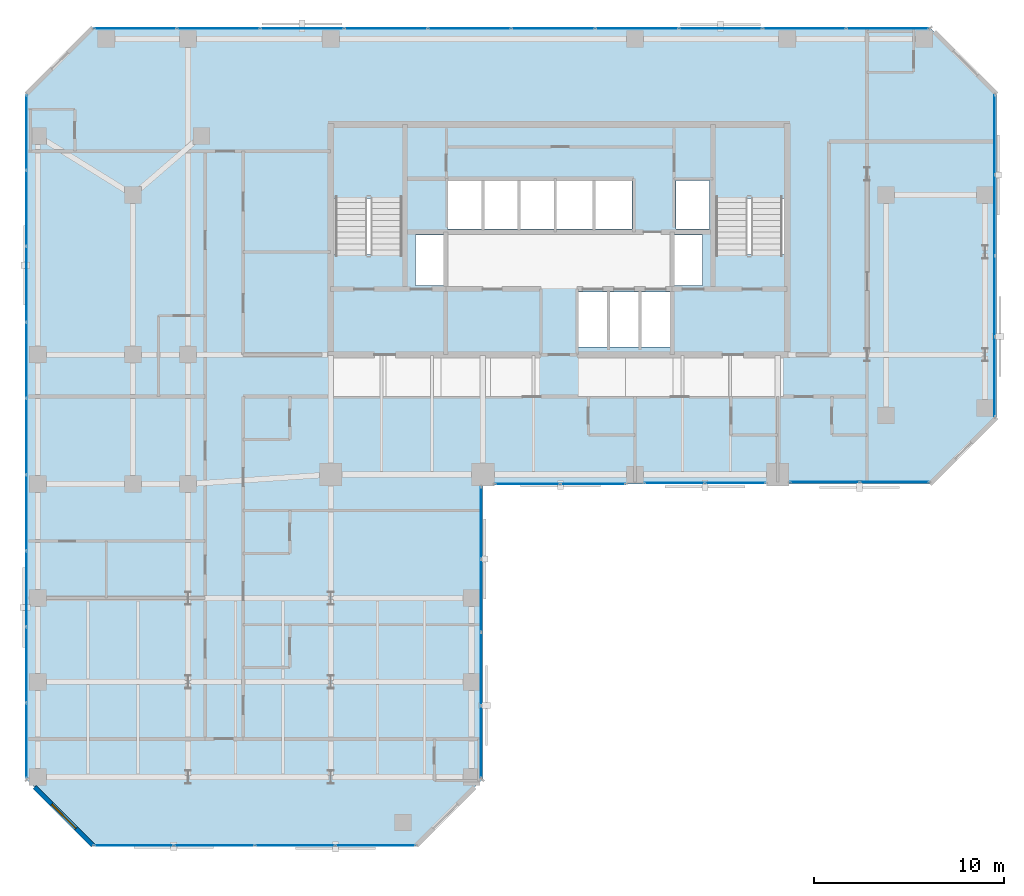
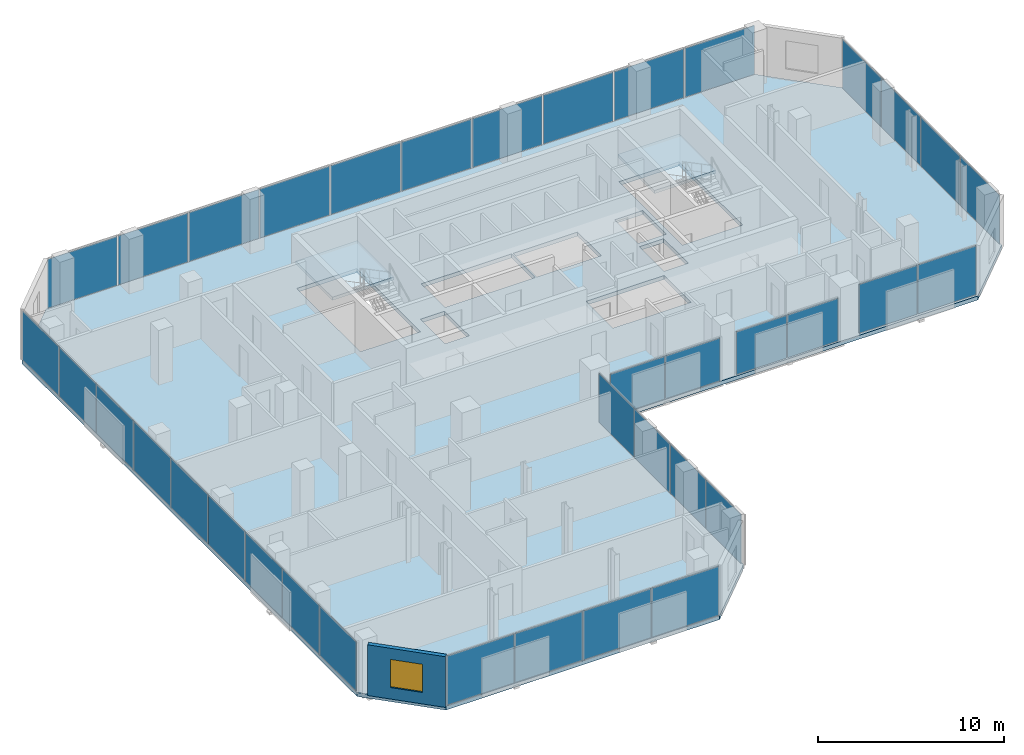
# One storey, part 27 of 34: 37 plates, 3 slabs, 1 wall, 1 window, 1 opening, 10 elements without a shape of their own.
"""IFC4 building model written with IfcOpenShell, lengths in metres."""

import ifcopenshell
import ifcopenshell.guid

model = None  # the IFC model being written
_history = None  # IfcOwnerHistory: only IFC2X3 demands one
_inside = {}  # id of a spatial element -> (the spatial element, [elements in it])
_under = {}  # id of a project, library or spatial element -> (it, [spatial elements below it])
_declared = {}  # id of a project -> (the project, [libraries it declares])
_typed = {}  # id of a type object -> (the type object, [elements of that type])
_made_of = {}  # id of a material, layer set ... -> (it, [elements and type objects made of it])


def new_model(schema):
    """Start an empty IFC model of exactly this schema.

    Asked for "IFC4X3", IfcOpenShell would pick the latest addendum, in which some entities
    have other attributes; the version numbers below select the first issue.
    IFC2X3 requires an IfcOwnerHistory on every rooted entity: one is made here for all.
    """
    global model, _history
    if schema == "IFC4X3":
        model = ifcopenshell.file(schema_version=(4, 3, 0, 0))
    else:
        model = ifcopenshell.file(schema=schema)
    _inside.clear()
    _under.clear()
    _declared.clear()
    _typed.clear()
    _made_of.clear()
    _history = None
    if model.schema == "IFC2X3":
        org = make("IfcOrganization", Name="unknown")
        user = make(
            "IfcPersonAndOrganization",
            ThePerson=make("IfcPerson", FamilyName="unknown"),
            TheOrganization=org,
        )
        app = make(
            "IfcApplication",
            ApplicationDeveloper=org,
            Version="unknown",
            ApplicationFullName="unknown",
            ApplicationIdentifier="unknown",
        )
        _history = make(
            "IfcOwnerHistory",
            OwningUser=user,
            OwningApplication=app,
            ChangeAction="ADDED",
            CreationDate=0,
        )
    return model


def make(cls, **values):
    """One entity of the class cls with the attributes given. An attribute that is None is left unset."""
    return model.create_entity(
        cls, **{name: value for name, value in values.items() if value is not None}
    )


def rooted(cls, **values):
    """An entity with a GlobalId (a new one), such as an element, a storey or a relation."""
    return make(cls, GlobalId=ifcopenshell.guid.new(), OwnerHistory=_history, **values)


def si_unit(unit_type, name, prefix=None):
    """IfcSIUnit, for example si_unit("LENGTHUNIT", "METRE", prefix="MILLI")."""
    return make("IfcSIUnit", UnitType=unit_type, Prefix=prefix, Name=name)


def assignment(units):
    """IfcUnitAssignment: the units of a project."""
    return None if units is None else make("IfcUnitAssignment", Units=units)


def point(xyz):
    """IfcCartesianPoint."""
    return None if xyz is None else make("IfcCartesianPoint", Coordinates=xyz)


def direction(xyz):
    """IfcDirection."""
    return None if xyz is None else make("IfcDirection", DirectionRatios=xyz)


def frame(location, z_axis=None, x_axis=None):
    """IfcAxis2Placement3D, a coordinate frame: its origin and axes. An axis left out is left unset."""
    return make(
        "IfcAxis2Placement3D",
        Location=point(location),
        Axis=direction(z_axis),
        RefDirection=direction(x_axis),
    )


def frame_2d(location, x_axis=None):
    """IfcAxis2Placement2D, a coordinate frame in the plane: its origin and x axis."""
    return make(
        "IfcAxis2Placement2D", Location=point(location), RefDirection=direction(x_axis)
    )


def origin():
    """The frame at (0, 0, 0) with its axes left unset."""
    return frame((0.0, 0.0, 0.0))


def origin_2d():
    """The frame at (0, 0) in the plane with its x axis left unset."""
    return frame_2d((0.0, 0.0))


def place(relative_to, where):
    """IfcLocalPlacement: puts the frame where relative to a parent placement (None: the world)."""
    return make(
        "IfcLocalPlacement", PlacementRelTo=relative_to, RelativePlacement=where
    )


def context(
    kind, dimensions, precision=None, world=None, true_north=None, identifier=None
):
    """IfcGeometricRepresentationContext, for example the 3D "Model" context."""
    return make(
        "IfcGeometricRepresentationContext",
        ContextIdentifier=identifier,
        ContextType=kind,
        CoordinateSpaceDimension=dimensions,
        Precision=precision,
        WorldCoordinateSystem=world,
        TrueNorth=true_north,
    )


def subcontext(parent, identifier, kind, view, scale=None):
    """IfcGeometricRepresentationSubContext, for example "Body" below "Model"."""
    return make(
        "IfcGeometricRepresentationSubContext",
        ContextIdentifier=identifier,
        ContextType=kind,
        ParentContext=parent,
        TargetScale=scale,
        TargetView=view,
    )


def project(units=None, contexts=None):
    """IfcProject with its units and contexts."""
    return rooted(
        "IfcProject",
        Name="project",
        RepresentationContexts=contexts,
        UnitsInContext=assignment(units),
    )


def spatial(cls, under=None, at=None, **own):
    """A site, building, storey or space (cls), placed at a placement, below another one or the project."""
    s = rooted(cls, ObjectPlacement=at, **own)
    if under is not None:
        _under.setdefault(under.id(), (under, []))[1].append(s)
    return s


def polyline(points):
    """IfcPolyline through the points."""
    return make("IfcPolyline", Points=[point(p) for p in points])


def profile(cls, at=None, kind="AREA", **sizes):
    """A parametric profile (cls). Its sizes go by their IFC names, for example OverallWidth=200.0."""
    return make(cls, ProfileType=kind, Position=at, **sizes)


def rectangle(**sizes):
    """IfcRectangleProfileDef."""
    return profile("IfcRectangleProfileDef", **sizes)


def outline(outer, holes=None, kind="AREA"):
    """IfcArbitraryClosedProfileDef: a profile drawn as a closed curve; with holes, ...WithVoids."""
    if holes is None:
        return make("IfcArbitraryClosedProfileDef", ProfileType=kind, OuterCurve=outer)
    return make(
        "IfcArbitraryProfileDefWithVoids",
        ProfileType=kind,
        OuterCurve=outer,
        InnerCurves=holes,
    )


def extrude(swept, where, along, depth):
    """IfcExtrudedAreaSolid: the profile swept, set in the frame where, extruded along a direction by depth."""
    return make(
        "IfcExtrudedAreaSolid",
        SweptArea=swept,
        Position=where,
        ExtrudedDirection=direction(along),
        Depth=depth,
    )


def shape(context_of_items, identifier, shape_type, items):
    """IfcShapeRepresentation: the items that make up one representation, for example the "Body"."""
    return make(
        "IfcShapeRepresentation",
        ContextOfItems=context_of_items,
        RepresentationIdentifier=identifier,
        RepresentationType=shape_type,
        Items=items,
    )


def material(Name=None, Category=None):
    """IfcMaterial."""
    return make("IfcMaterial", Name=Name, Category=Category)


def layer(
    of_material, thickness, ventilated=None, Name=None, Category=None, Priority=None
):
    """IfcMaterialLayer: one layer of a wall or slab, of a material (None: an air gap)."""
    return make(
        "IfcMaterialLayer",
        Material=of_material,
        LayerThickness=thickness,
        IsVentilated=ventilated,
        Name=Name,
        Category=Category,
        Priority=Priority,
    )


def layer_set(layers, Name=None):
    """IfcMaterialLayerSet."""
    return make("IfcMaterialLayerSet", MaterialLayers=layers, LayerSetName=Name)


def made_of(thing, what):
    """Note that an element or type object is made of a material, layer set ...; save() writes the relation."""
    if what is not None:
        _made_of.setdefault(what.id(), (what, []))[1].append(thing)
    return thing


def type_object(cls, material=None, **own):
    """A type object (cls), such as IfcWallType, which elements share."""
    return made_of(rooted(cls, **own), material)


def element(
    cls,
    number,
    at=None,
    inside=None,
    cuts=None,
    type_object=None,
    material=None,
    context=None,
    identifier="Body",
    shape_type=None,
    held_by="IfcProductDefinitionShape",
    body=None,
    shapes=None,
    **own,
):
    """One element of the class cls, such as IfcWall. Its Tag is "e" and its number.

    at: its placement. inside: the storey or other place that contains it. cuts: it is an
    opening in that element (IfcRelVoidsElement). A single representation is given by context,
    identifier, shape_type and body (its items); several are given by shapes. held_by: the class
    of the entity that holds the representations. save() writes the other relations.
    """
    e = rooted(cls, Tag="e%d" % number, ObjectPlacement=at, **own)
    if body is not None:
        shapes = [shape(context, identifier, shape_type, body)]
    if shapes is not None:
        e.Representation = make(held_by, Representations=shapes)
    if inside is not None:
        _inside.setdefault(inside.id(), (inside, []))[1].append(e)
    if cuts is not None:
        rooted(
            "IfcRelVoidsElement", RelatingBuildingElement=cuts, RelatedOpeningElement=e
        )
    if type_object is not None:
        _typed.setdefault(type_object.id(), (type_object, []))[1].append(e)
    return made_of(e, material)


def fill(opening, filler):
    """IfcRelFillsElement: the door or window that sits in an opening."""
    return rooted(
        "IfcRelFillsElement",
        RelatingOpeningElement=opening,
        RelatedBuildingElement=filler,
    )


def aggregate(whole, parts):
    """IfcRelAggregates: a whole, such as a stair, and the parts it consists of."""
    return rooted("IfcRelAggregates", RelatingObject=whole, RelatedObjects=parts)


def save(model, path):
    """Write the relations noted so far, then the file.

    IfcRelAggregates (storeys below a building ...), IfcRelContainedInSpatialStructure (elements
    in a storey), IfcRelDefinesByType, IfcRelAssociatesMaterial and IfcRelDeclares: one each for
    every whole, place, type object, material and project.
    """
    for whole, parts in _under.values():
        aggregate(whole, parts)
    for where, things in _inside.values():
        rooted(
            "IfcRelContainedInSpatialStructure",
            RelatedElements=things,
            RelatingStructure=where,
        )
    for kind, things in _typed.values():
        rooted("IfcRelDefinesByType", RelatedObjects=things, RelatingType=kind)
    for what, things in _made_of.values():
        rooted("IfcRelAssociatesMaterial", RelatedObjects=things, RelatingMaterial=what)
    for by, libraries in _declared.values():
        rooted("IfcRelDeclares", RelatingContext=by, RelatedDefinitions=libraries)
    model.write(path)


model = new_model("IFC4")

# Units and contexts
model_context = context("Model", 3, precision=1e-05, world=origin(), true_north=direction((0.0, 1.0)))
body_context = subcontext(model_context, "Body", "Model", "MODEL_VIEW")
ifc_project = project(units=[si_unit("LENGTHUNIT", "METRE"), si_unit("AREAUNIT", "SQUARE_METRE"), si_unit("VOLUMEUNIT", "CUBIC_METRE"), si_unit("PLANEANGLEUNIT", "RADIAN"), si_unit("MASSUNIT", "GRAM", prefix="KILO")], contexts=[model_context])

# Site, building, storey
site_placement = place(None, origin())
site = spatial("IfcSite", under=ifc_project, at=site_placement, CompositionType="ELEMENT")
building_placement = place(site_placement, origin())
building = spatial("IfcBuilding", under=site, at=building_placement, Name="Catumbela Crestline Tower", CompositionType="ELEMENT")
storey_placement = place(building_placement, frame((0.0, 0.0, 93.6)))
storey = spatial("IfcBuildingStorey", under=building, at=storey_placement, Name="L23", CompositionType="ELEMENT", Elevation=93.6)

# Curtain wall, plates
ifc_material_1 = material(Name="Aluminium alloy AW-6060-T66", Category="aluminium")
ifc_layer_1 = layer(ifc_material_1, 0.18, Name="Aluminium alloy AW-6060-T66")
ifc_layer_set_1 = layer_set([ifc_layer_1], Name="Aluminium alloy AW-6060-T66")
curtain_wall_type = type_object("IfcCurtainWallType", Name="CWU-Z2", PredefinedType="USERDEFINED", material=ifc_layer_set_1)
curtain_wall_1_placement = place(storey_placement, origin())
curtain_wall_1 = element("IfcCurtainWall", 1, at=curtain_wall_1_placement, inside=storey, type_object=curtain_wall_type, Name="L23 Unitised Curtain Wall CW-L23-E0S1", ObjectType="UNITISED", PredefinedType="USERDEFINED")
ifc_material_2 = material(Name="Low-E laminated solar-control double glazing", Category="glass")
ifc_layer_2 = layer(ifc_material_2, 0.036, Name="Low-E laminated solar-control double glazing")
ifc_layer_set_2 = layer_set([ifc_layer_2], Name="Low-E laminated solar-control double glazing")
plate_type = type_object("IfcPlateType", Name="PNL-GLZ-Z2", PredefinedType="CURTAIN_PANEL", material=ifc_layer_set_2)
plate_1_placement = place(storey_placement, frame((5.6412, 5.0, 0.06), z_axis=(0.0, 0.0, 1.0), x_axis=(1.0, 0.0, 0.0)))
plate_1 = element("IfcPlate", 2, at=plate_1_placement, type_object=plate_type, Name="CWU-Z2 panel 1.1", PredefinedType="CURTAIN_PANEL", context=body_context, shape_type="SweptSolid", body=[
    extrude(rectangle(XDim=4.1525, YDim=0.034, at=origin_2d()), origin(), (0.0, 0.0, 1.0), 3.21),
])
plate_2_placement = place(storey_placement, frame((9.875, 5.0, 0.06), z_axis=(0.0, 0.0, 1.0), x_axis=(1.0, 0.0, 0.0)))
plate_2 = element("IfcPlate", 3, at=plate_2_placement, type_object=plate_type, Name="CWU-Z2 panel 2.1", PredefinedType="CURTAIN_PANEL", context=body_context, shape_type="SweptSolid", body=[
    extrude(rectangle(XDim=4.185, YDim=0.034, at=origin_2d()), origin(), (0.0, 0.0, 1.0), 3.21),
])
plate_3_placement = place(storey_placement, frame((14.125, 5.0, 0.06), z_axis=(0.0, 0.0, 1.0), x_axis=(1.0, 0.0, 0.0)))
plate_3 = element("IfcPlate", 4, at=plate_3_placement, type_object=plate_type, Name="CWU-Z2 panel 3.1", PredefinedType="CURTAIN_PANEL", context=body_context, shape_type="SweptSolid", body=[
    extrude(rectangle(XDim=4.185, YDim=0.034, at=origin_2d()), origin(), (0.0, 0.0, 1.0), 3.21),
])
plate_4_placement = place(storey_placement, frame((18.3588, 5.0, 0.06), z_axis=(0.0, 0.0, 1.0), x_axis=(1.0, 0.0, 0.0)))
plate_4 = element("IfcPlate", 5, at=plate_4_placement, type_object=plate_type, Name="CWU-Z2 panel 4.1", PredefinedType="CURTAIN_PANEL", context=body_context, shape_type="SweptSolid", body=[
    extrude(rectangle(XDim=4.1525, YDim=0.034, at=origin_2d()), origin(), (0.0, 0.0, 1.0), 3.21),
])
aggregate(curtain_wall_1, [plate_1, plate_2, plate_3, plate_4])

curtain_wall_2_placement = place(storey_placement, origin())
curtain_wall_2 = element("IfcCurtainWall", 6, at=curtain_wall_2_placement, inside=storey, type_object=curtain_wall_type, Name="L23 Unitised Curtain Wall CW-L23-E2S1", ObjectType="UNITISED", PredefinedType="USERDEFINED")
plate_5_placement = place(storey_placement, frame((23.9, 10.4412, 0.06), z_axis=(0.0, 0.0, 1.0), x_axis=(0.0, 1.0, 0.0)))
plate_5 = element("IfcPlate", 7, at=plate_5_placement, type_object=plate_type, Name="CWU-Z2 panel 1.1", PredefinedType="CURTAIN_PANEL", context=body_context, shape_type="SweptSolid", body=[
    extrude(rectangle(XDim=3.7525, YDim=0.034, at=origin_2d()), origin(), (0.0, 0.0, 1.0), 3.21),
])
plate_6_placement = place(storey_placement, frame((23.9, 14.275, 0.06), z_axis=(0.0, 0.0, 1.0), x_axis=(0.0, 1.0, 0.0)))
plate_6 = element("IfcPlate", 8, at=plate_6_placement, type_object=plate_type, Name="CWU-Z2 panel 2.1", PredefinedType="CURTAIN_PANEL", context=body_context, shape_type="SweptSolid", body=[
    extrude(rectangle(XDim=3.785, YDim=0.034, at=origin_2d()), origin(), (0.0, 0.0, 1.0), 3.21),
])
plate_7_placement = place(storey_placement, frame((23.9, 18.125, 0.06), z_axis=(0.0, 0.0, 1.0), x_axis=(0.0, 1.0, 0.0)))
plate_7 = element("IfcPlate", 9, at=plate_7_placement, type_object=plate_type, Name="CWU-Z2 panel 3.1", PredefinedType="CURTAIN_PANEL", context=body_context, shape_type="SweptSolid", body=[
    extrude(rectangle(XDim=3.785, YDim=0.034, at=origin_2d()), origin(), (0.0, 0.0, 1.0), 3.21),
])
plate_8_placement = place(storey_placement, frame((23.9, 21.9587, 0.06), z_axis=(0.0, 0.0, 1.0), x_axis=(0.0, 1.0, 0.0)))
plate_8 = element("IfcPlate", 10, at=plate_8_placement, type_object=plate_type, Name="CWU-Z2 panel 4.1", PredefinedType="CURTAIN_PANEL", context=body_context, shape_type="SweptSolid", body=[
    extrude(rectangle(XDim=3.7525, YDim=0.034, at=origin_2d()), origin(), (0.0, 0.0, 1.0), 3.21),
])
aggregate(curtain_wall_2, [plate_5, plate_6, plate_7, plate_8])

curtain_wall_3_placement = place(storey_placement, origin())
curtain_wall_3 = element("IfcCurtainWall", 11, at=curtain_wall_3_placement, inside=storey, type_object=curtain_wall_type, Name="L23 Unitised Curtain Wall CW-L23-E3S1", ObjectType="UNITISED", PredefinedType="USERDEFINED")
plate_9_placement = place(storey_placement, frame((26.3538, 24.0, 0.06), z_axis=(0.0, 0.0, 1.0), x_axis=(1.0, 0.0, 0.0)))
plate_9 = element("IfcPlate", 12, at=plate_9_placement, type_object=plate_type, Name="CWU-Z2 panel 1.1", PredefinedType="CURTAIN_PANEL", context=body_context, shape_type="SweptSolid", body=[
    extrude(rectangle(XDim=3.3775, YDim=0.034, at=origin_2d()), origin(), (0.0, 0.0, 1.0), 2.8),
])
plate_10_placement = place(storey_placement, frame((29.7962, 24.0, 0.06), z_axis=(0.0, 0.0, 1.0), x_axis=(1.0, 0.0, 0.0)))
plate_10 = element("IfcPlate", 13, at=plate_10_placement, type_object=plate_type, Name="CWU-Z2 panel 2.1", PredefinedType="CURTAIN_PANEL", context=body_context, shape_type="SweptSolid", body=[
    extrude(rectangle(XDim=3.3775, YDim=0.034, at=origin_2d()), origin(), (0.0, 0.0, 1.0), 2.8),
])
aggregate(curtain_wall_3, [plate_9, plate_10])

curtain_wall_4_placement = place(storey_placement, origin())
curtain_wall_4 = element("IfcCurtainWall", 14, at=curtain_wall_4_placement, inside=storey, type_object=curtain_wall_type, Name="L23 Unitised Curtain Wall CW-L23-E3S2", ObjectType="UNITISED", PredefinedType="USERDEFINED")
plate_11_placement = place(storey_placement, frame((34.0788, 24.05, 0.06), z_axis=(0.0, 0.0, 1.0), x_axis=(1.0, 0.0, 0.0)))
plate_11 = element("IfcPlate", 15, at=plate_11_placement, type_object=plate_type, Name="CWU-Z2 panel 1.1", PredefinedType="CURTAIN_PANEL", context=body_context, shape_type="SweptSolid", body=[
    extrude(rectangle(XDim=3.1275, YDim=0.034, at=origin_2d()), origin(), (0.0, 0.0, 1.0), 2.8),
])
plate_12_placement = place(storey_placement, frame((37.2712, 24.05, 0.06), z_axis=(0.0, 0.0, 1.0), x_axis=(1.0, 0.0, 0.0)))
plate_12 = element("IfcPlate", 16, at=plate_12_placement, type_object=plate_type, Name="CWU-Z2 panel 2.1", PredefinedType="CURTAIN_PANEL", context=body_context, shape_type="SweptSolid", body=[
    extrude(rectangle(XDim=3.1275, YDim=0.034, at=origin_2d()), origin(), (0.0, 0.0, 1.0), 2.8),
])
aggregate(curtain_wall_4, [plate_11, plate_12])

curtain_wall_5_placement = place(storey_placement, origin())
curtain_wall_5 = element("IfcCurtainWall", 17, at=curtain_wall_5_placement, inside=storey, type_object=curtain_wall_type, Name="L23 Unitised Curtain Wall CW-L23-E3S3", ObjectType="UNITISED", PredefinedType="USERDEFINED")
plate_13_placement = place(storey_placement, frame((41.9662, 24.1, 0.06), z_axis=(0.0, 0.0, 1.0), x_axis=(1.0, 0.0, 0.0)))
plate_13 = element("IfcPlate", 18, at=plate_13_placement, type_object=plate_type, Name="CWU-Z2 panel 1.1", PredefinedType="CURTAIN_PANEL", context=body_context, shape_type="SweptSolid", body=[
    extrude(rectangle(XDim=3.6025, YDim=0.034, at=origin_2d()), origin(), (0.0, 0.0, 1.0), 3.21),
])
plate_14_placement = place(storey_placement, frame((45.6338, 24.1, 0.06), z_axis=(0.0, 0.0, 1.0), x_axis=(1.0, 0.0, 0.0)))
plate_14 = element("IfcPlate", 19, at=plate_14_placement, type_object=plate_type, Name="CWU-Z2 panel 2.1", PredefinedType="CURTAIN_PANEL", context=body_context, shape_type="SweptSolid", body=[
    extrude(rectangle(XDim=3.6025, YDim=0.034, at=origin_2d()), origin(), (0.0, 0.0, 1.0), 3.21),
])
aggregate(curtain_wall_5, [plate_13, plate_14])

curtain_wall_6_placement = place(storey_placement, origin())
curtain_wall_6 = element("IfcCurtainWall", 20, at=curtain_wall_6_placement, inside=storey, type_object=curtain_wall_type, Name="L23 Unitised Curtain Wall CW-L23-E5S1", ObjectType="UNITISED", PredefinedType="USERDEFINED")
plate_15_placement = place(storey_placement, frame((50.9, 29.6412, 0.06), z_axis=(0.0, 0.0, 1.0), x_axis=(0.0, 1.0, 0.0)))
plate_15 = element("IfcPlate", 21, at=plate_15_placement, type_object=plate_type, Name="CWU-Z2 panel 1.1", PredefinedType="CURTAIN_PANEL", context=body_context, shape_type="SweptSolid", body=[
    extrude(rectangle(XDim=4.1525, YDim=0.034, at=origin_2d()), origin(), (0.0, 0.0, 1.0), 3.21),
])
plate_16_placement = place(storey_placement, frame((50.9, 33.875, 0.06), z_axis=(0.0, 0.0, 1.0), x_axis=(0.0, 1.0, 0.0)))
plate_16 = element("IfcPlate", 22, at=plate_16_placement, type_object=plate_type, Name="CWU-Z2 panel 2.1", PredefinedType="CURTAIN_PANEL", context=body_context, shape_type="SweptSolid", body=[
    extrude(rectangle(XDim=4.185, YDim=0.034, at=origin_2d()), origin(), (0.0, 0.0, 1.0), 3.21),
])
plate_17_placement = place(storey_placement, frame((50.9, 38.125, 0.06), z_axis=(0.0, 0.0, 1.0), x_axis=(0.0, 1.0, 0.0)))
plate_17 = element("IfcPlate", 23, at=plate_17_placement, type_object=plate_type, Name="CWU-Z2 panel 3.1", PredefinedType="CURTAIN_PANEL", context=body_context, shape_type="SweptSolid", body=[
    extrude(rectangle(XDim=4.185, YDim=0.034, at=origin_2d()), origin(), (0.0, 0.0, 1.0), 3.21),
])
plate_18_placement = place(storey_placement, frame((50.9, 42.3588, 0.06), z_axis=(0.0, 0.0, 1.0), x_axis=(0.0, 1.0, 0.0)))
plate_18 = element("IfcPlate", 24, at=plate_18_placement, type_object=plate_type, Name="CWU-Z2 panel 4.1", PredefinedType="CURTAIN_PANEL", context=body_context, shape_type="SweptSolid", body=[
    extrude(rectangle(XDim=4.1525, YDim=0.034, at=origin_2d()), origin(), (0.0, 0.0, 1.0), 3.21),
])
aggregate(curtain_wall_6, [plate_15, plate_16, plate_17, plate_18])

curtain_wall_7_placement = place(storey_placement, origin())
curtain_wall_7 = element("IfcCurtainWall", 25, at=curtain_wall_7_placement, inside=storey, type_object=curtain_wall_type, Name="L23 Unitised Curtain Wall CW-L23-E7S1", ObjectType="UNITISED", PredefinedType="USERDEFINED")
plate_19_placement = place(storey_placement, frame((45.2838, 47.95, 0.06), z_axis=(0.0, 0.0, 1.0), x_axis=(-1.0, 0.0, 0.0)))
plate_19 = element("IfcPlate", 26, at=plate_19_placement, type_object=plate_type, Name="CWU-Z2 panel 1.1", PredefinedType="CURTAIN_PANEL", context=body_context, shape_type="SweptSolid", body=[
    extrude(rectangle(XDim=4.3025, YDim=0.034, at=origin_2d()), origin(), (0.0, 0.0, 1.0), 3.21),
])
plate_20_placement = place(storey_placement, frame((40.9, 47.95, 0.06), z_axis=(0.0, 0.0, 1.0), x_axis=(-1.0, 0.0, 0.0)))
plate_20 = element("IfcPlate", 27, at=plate_20_placement, type_object=plate_type, Name="CWU-Z2 panel 2.1", PredefinedType="CURTAIN_PANEL", context=body_context, shape_type="SweptSolid", body=[
    extrude(rectangle(XDim=4.335, YDim=0.034, at=origin_2d()), origin(), (0.0, 0.0, 1.0), 3.21),
])
plate_21_placement = place(storey_placement, frame((36.5, 47.95, 0.06), z_axis=(0.0, 0.0, 1.0), x_axis=(-1.0, 0.0, 0.0)))
plate_21 = element("IfcPlate", 28, at=plate_21_placement, type_object=plate_type, Name="CWU-Z2 panel 3.1", PredefinedType="CURTAIN_PANEL", context=body_context, shape_type="SweptSolid", body=[
    extrude(rectangle(XDim=4.335, YDim=0.034, at=origin_2d()), origin(), (0.0, 0.0, 1.0), 3.21),
])
plate_22_placement = place(storey_placement, frame((32.1, 47.95, 0.06), z_axis=(0.0, 0.0, 1.0), x_axis=(-1.0, 0.0, 0.0)))
plate_22 = element("IfcPlate", 29, at=plate_22_placement, type_object=plate_type, Name="CWU-Z2 panel 4.1", PredefinedType="CURTAIN_PANEL", context=body_context, shape_type="SweptSolid", body=[
    extrude(rectangle(XDim=4.335, YDim=0.034, at=origin_2d()), origin(), (0.0, 0.0, 1.0), 3.21),
])
plate_23_placement = place(storey_placement, frame((27.7, 47.95, 0.06), z_axis=(0.0, 0.0, 1.0), x_axis=(-1.0, 0.0, 0.0)))
plate_23 = element("IfcPlate", 30, at=plate_23_placement, type_object=plate_type, Name="CWU-Z2 panel 5.1", PredefinedType="CURTAIN_PANEL", context=body_context, shape_type="SweptSolid", body=[
    extrude(rectangle(XDim=4.335, YDim=0.034, at=origin_2d()), origin(), (0.0, 0.0, 1.0), 3.21),
])
plate_24_placement = place(storey_placement, frame((23.3, 47.95, 0.06), z_axis=(0.0, 0.0, 1.0), x_axis=(-1.0, 0.0, 0.0)))
plate_24 = element("IfcPlate", 31, at=plate_24_placement, type_object=plate_type, Name="CWU-Z2 panel 6.1", PredefinedType="CURTAIN_PANEL", context=body_context, shape_type="SweptSolid", body=[
    extrude(rectangle(XDim=4.335, YDim=0.034, at=origin_2d()), origin(), (0.0, 0.0, 1.0), 3.21),
])
plate_25_placement = place(storey_placement, frame((18.9, 47.95, 0.06), z_axis=(0.0, 0.0, 1.0), x_axis=(-1.0, 0.0, 0.0)))
plate_25 = element("IfcPlate", 32, at=plate_25_placement, type_object=plate_type, Name="CWU-Z2 panel 7.1", PredefinedType="CURTAIN_PANEL", context=body_context, shape_type="SweptSolid", body=[
    extrude(rectangle(XDim=4.335, YDim=0.034, at=origin_2d()), origin(), (0.0, 0.0, 1.0), 3.21),
])
plate_26_placement = place(storey_placement, frame((14.5, 47.95, 0.06), z_axis=(0.0, 0.0, 1.0), x_axis=(-1.0, 0.0, 0.0)))
plate_26 = element("IfcPlate", 33, at=plate_26_placement, type_object=plate_type, Name="CWU-Z2 panel 8.1", PredefinedType="CURTAIN_PANEL", context=body_context, shape_type="SweptSolid", body=[
    extrude(rectangle(XDim=4.335, YDim=0.034, at=origin_2d()), origin(), (0.0, 0.0, 1.0), 3.21),
])
plate_27_placement = place(storey_placement, frame((10.1, 47.95, 0.06), z_axis=(0.0, 0.0, 1.0), x_axis=(-1.0, 0.0, 0.0)))
plate_27 = element("IfcPlate", 34, at=plate_27_placement, type_object=plate_type, Name="CWU-Z2 panel 9.1", PredefinedType="CURTAIN_PANEL", context=body_context, shape_type="SweptSolid", body=[
    extrude(rectangle(XDim=4.335, YDim=0.034, at=origin_2d()), origin(), (0.0, 0.0, 1.0), 3.21),
])
plate_28_placement = place(storey_placement, frame((5.7162, 47.95, 0.06), z_axis=(0.0, 0.0, 1.0), x_axis=(-1.0, 0.0, 0.0)))
plate_28 = element("IfcPlate", 35, at=plate_28_placement, type_object=plate_type, Name="CWU-Z2 panel 10.1", PredefinedType="CURTAIN_PANEL", context=body_context, shape_type="SweptSolid", body=[
    extrude(rectangle(XDim=4.3025, YDim=0.034, at=origin_2d()), origin(), (0.0, 0.0, 1.0), 3.21),
])
aggregate(curtain_wall_7, [plate_19, plate_20, plate_21, plate_22, plate_23, plate_24, plate_25, plate_26, plate_27, plate_28])

curtain_wall_8_placement = place(storey_placement, origin())
curtain_wall_8 = element("IfcCurtainWall", 36, at=curtain_wall_8_placement, inside=storey, type_object=curtain_wall_type, Name="L23 Unitised Curtain Wall CW-L23-E9S1", ObjectType="UNITISED", PredefinedType="USERDEFINED")
plate_29_placement = place(storey_placement, frame((0.0, 42.4838, 0.06), z_axis=(0.0, 0.0, 1.0), x_axis=(0.0, -1.0, 0.0)))
plate_29 = element("IfcPlate", 37, at=plate_29_placement, type_object=plate_type, Name="CWU-Z2 panel 1.1", PredefinedType="CURTAIN_PANEL", context=body_context, shape_type="SweptSolid", body=[
    extrude(rectangle(XDim=3.9025, YDim=0.034, at=origin_2d()), origin(), (0.0, 0.0, 1.0), 3.21),
])
plate_30_placement = place(storey_placement, frame((0.0, 38.5, 0.06), z_axis=(0.0, 0.0, 1.0), x_axis=(0.0, -1.0, 0.0)))
plate_30 = element("IfcPlate", 38, at=plate_30_placement, type_object=plate_type, Name="CWU-Z2 panel 2.1", PredefinedType="CURTAIN_PANEL", context=body_context, shape_type="SweptSolid", body=[
    extrude(rectangle(XDim=3.935, YDim=0.034, at=origin_2d()), origin(), (0.0, 0.0, 1.0), 3.21),
])
plate_31_placement = place(storey_placement, frame((0.0, 34.5, 0.06), z_axis=(0.0, 0.0, 1.0), x_axis=(0.0, -1.0, 0.0)))
plate_31 = element("IfcPlate", 39, at=plate_31_placement, type_object=plate_type, Name="CWU-Z2 panel 3.1", PredefinedType="CURTAIN_PANEL", context=body_context, shape_type="SweptSolid", body=[
    extrude(rectangle(XDim=3.935, YDim=0.034, at=origin_2d()), origin(), (0.0, 0.0, 1.0), 3.21),
])
plate_32_placement = place(storey_placement, frame((0.0, 30.5, 0.06), z_axis=(0.0, 0.0, 1.0), x_axis=(0.0, -1.0, 0.0)))
plate_32 = element("IfcPlate", 40, at=plate_32_placement, type_object=plate_type, Name="CWU-Z2 panel 4.1", PredefinedType="CURTAIN_PANEL", context=body_context, shape_type="SweptSolid", body=[
    extrude(rectangle(XDim=3.935, YDim=0.034, at=origin_2d()), origin(), (0.0, 0.0, 1.0), 3.21),
])
plate_33_placement = place(storey_placement, frame((0.0, 26.5, 0.06), z_axis=(0.0, 0.0, 1.0), x_axis=(0.0, -1.0, 0.0)))
plate_33 = element("IfcPlate", 41, at=plate_33_placement, type_object=plate_type, Name="CWU-Z2 panel 5.1", PredefinedType="CURTAIN_PANEL", context=body_context, shape_type="SweptSolid", body=[
    extrude(rectangle(XDim=3.935, YDim=0.034, at=origin_2d()), origin(), (0.0, 0.0, 1.0), 3.21),
])
plate_34_placement = place(storey_placement, frame((0.0, 22.5, 0.06), z_axis=(0.0, 0.0, 1.0), x_axis=(0.0, -1.0, 0.0)))
plate_34 = element("IfcPlate", 42, at=plate_34_placement, type_object=plate_type, Name="CWU-Z2 panel 6.1", PredefinedType="CURTAIN_PANEL", context=body_context, shape_type="SweptSolid", body=[
    extrude(rectangle(XDim=3.935, YDim=0.034, at=origin_2d()), origin(), (0.0, 0.0, 1.0), 3.21),
])
plate_35_placement = place(storey_placement, frame((0.0, 18.5, 0.06), z_axis=(0.0, 0.0, 1.0), x_axis=(0.0, -1.0, 0.0)))
plate_35 = element("IfcPlate", 43, at=plate_35_placement, type_object=plate_type, Name="CWU-Z2 panel 7.1", PredefinedType="CURTAIN_PANEL", context=body_context, shape_type="SweptSolid", body=[
    extrude(rectangle(XDim=3.935, YDim=0.034, at=origin_2d()), origin(), (0.0, 0.0, 1.0), 3.21),
])
plate_36_placement = place(storey_placement, frame((0.0, 14.5, 0.06), z_axis=(0.0, 0.0, 1.0), x_axis=(0.0, -1.0, 0.0)))
plate_36 = element("IfcPlate", 44, at=plate_36_placement, type_object=plate_type, Name="CWU-Z2 panel 8.1", PredefinedType="CURTAIN_PANEL", context=body_context, shape_type="SweptSolid", body=[
    extrude(rectangle(XDim=3.935, YDim=0.034, at=origin_2d()), origin(), (0.0, 0.0, 1.0), 3.21),
])
plate_37_placement = place(storey_placement, frame((0.0, 10.5162, 0.06), z_axis=(0.0, 0.0, 1.0), x_axis=(0.0, -1.0, 0.0)))
plate_37 = element("IfcPlate", 45, at=plate_37_placement, type_object=plate_type, Name="CWU-Z2 panel 9.1", PredefinedType="CURTAIN_PANEL", context=body_context, shape_type="SweptSolid", body=[
    extrude(rectangle(XDim=3.9025, YDim=0.034, at=origin_2d()), origin(), (0.0, 0.0, 1.0), 3.21),
])
aggregate(curtain_wall_8, [plate_29, plate_30, plate_31, plate_32, plate_33, plate_34, plate_35, plate_36, plate_37])

# Stair, slab
ifc_material_3 = material(Name="Concrete C45/55", Category="concrete")
stair_type = type_object("IfcStairType", Name="ST-DLG", PredefinedType="HALF_TURN_STAIR", material=ifc_material_3)
stair_1_placement = place(storey_placement, origin())
stair_1 = element("IfcStair", 46, at=stair_1_placement, inside=storey, type_object=stair_type, Name="L23 West Core Pressurised Exit Stair ST-01", PredefinedType="HALF_TURN_STAIR")
ifc_layer_3 = layer(ifc_material_3, 0.2, Name="Concrete C45/55")
ifc_layer_set_3 = layer_set([ifc_layer_3], Name="Concrete C45/55")
slab_type_1 = type_object("IfcSlabType", Name="SL-LND", PredefinedType="LANDING", material=ifc_layer_set_3)
slab_1_placement = place(storey_placement, frame((0.0, 0.0, 1.6)))
slab_1 = element("IfcSlab", 47, at=slab_1_placement, type_object=slab_type_1, Name="ST-01 landing 1", PredefinedType="LANDING", context=body_context, shape_type="SweptSolid", body=[
    extrude(outline(polyline([(19.91, 39.02), (19.91, 42.96), (16.09, 42.96), (16.09, 39.02), (19.91, 39.02)])), origin(), (0.0, 0.0, 1.0), 0.2),
])
aggregate(stair_1, [slab_1])

stair_2_placement = place(storey_placement, origin())
stair_2 = element("IfcStair", 48, at=stair_2_placement, inside=storey, type_object=stair_type, Name="L23 East Core Pressurised Exit Stair ST-02", PredefinedType="HALF_TURN_STAIR")
slab_2_placement = place(storey_placement, frame((0.0, 0.0, 1.6)))
slab_2 = element("IfcSlab", 49, at=slab_2_placement, type_object=slab_type_1, Name="ST-02 landing 1", PredefinedType="LANDING", context=body_context, shape_type="SweptSolid", body=[
    extrude(outline(polyline([(39.91, 39.02), (39.91, 42.96), (36.09, 42.96), (36.09, 39.02), (39.91, 39.02)])), origin(), (0.0, 0.0, 1.0), 0.2),
])
aggregate(stair_2, [slab_2])

# Slab
ifc_layer_4 = layer(ifc_material_3, 0.26, Name="Concrete C45/55")
ifc_layer_set_4 = layer_set([ifc_layer_4], Name="Concrete C45/55")
slab_type_2 = type_object("IfcSlabType", Name="SL-260", PredefinedType="FLOOR", material=ifc_layer_set_4)
slab_3_placement = place(storey_placement, frame((0.0, 0.0, -0.26)))
element("IfcSlab", 50, at=slab_3_placement, inside=storey, type_object=slab_type_2, Name="L23 Structural Floor Slab", PredefinedType="FLOOR", context=body_context, shape_type="SweptSolid", body=[
    extrude(outline(polyline([(3.5, 5.0), (20.5, 5.0), (24.0, 8.5), (24.0, 24.0), (47.5, 24.0), (51.0, 27.5), (51.0, 44.5), (47.5, 48.0), (3.5, 48.0), (0.0, 44.5), (0.0, 8.5), (3.5, 5.0)]), holes=[polyline([(16.13, 36.08), (19.87, 36.08), (19.87, 42.92), (16.13, 42.92), (16.13, 36.08)]), polyline([(36.13, 36.08), (39.87, 36.08), (39.87, 42.92), (36.13, 42.92), (36.13, 36.08)]), polyline([(29.0, 31.2), (33.85, 31.2), (33.85, 34.1), (29.0, 34.1), (29.0, 31.2)]), polyline([(22.15, 37.4), (27.75, 37.4), (27.75, 39.95), (22.15, 39.95), (22.15, 37.4)]), polyline([(27.85, 37.4), (31.85, 37.4), (31.85, 39.95), (27.85, 39.95), (27.85, 37.4)]), polyline([(20.45, 34.45), (21.95, 34.45), (21.95, 37.1), (20.45, 37.1), (20.45, 34.45)]), polyline([(34.05, 34.45), (35.55, 34.45), (35.55, 37.1), (34.05, 37.1), (34.05, 34.45)]), polyline([(34.15, 37.4), (35.9, 37.4), (35.9, 39.95), (34.15, 39.95), (34.15, 37.4)])]), origin(), (0.0, 0.0, 1.0), 0.26),
])

# Wall, opening, window
ifc_material_4 = material(Name="Angolan grey-ochre granite", Category="masonry")
ifc_layer_5 = layer(ifc_material_4, 0.25, Name="Angolan grey-ochre granite")
ifc_layer_set_5 = layer_set([ifc_layer_5], Name="Angolan grey-ochre granite")
wall_type = type_object("IfcWallType", Name="WE-250", PredefinedType="STANDARD", material=ifc_layer_set_5)
wall_placement = place(storey_placement, frame((0.4384, 8.0616, 0.0), z_axis=(0.0, 0.0, 1.0), x_axis=(0.707106781187, -0.707106781187, 0.0)))
wall = element("IfcWall", 51, at=wall_placement, inside=storey, type_object=wall_type, Name="L23 Granite Punched Window Wall 10-2", PredefinedType="STANDARD", context=body_context, shape_type="SweptSolid", body=[
    extrude(rectangle(XDim=4.3298, YDim=0.25, at=frame_2d((2.1649, 0.0))), origin(), (0.0, 0.0, 1.0), 3.33),
])
opening_placement = place(wall_placement, frame((1.2649, 0.0, 0.75)))
opening = element("IfcOpeningElement", 52, at=opening_placement, cuts=wall, Name="Opening WN-01", PredefinedType="OPENING", context=body_context, shape_type="SweptSolid", body=[
    extrude(rectangle(XDim=1.8, YDim=1.85, at=frame_2d((0.9, 0.925))), frame((0.0, 0.135, 0.0), z_axis=(0.0, -1.0, 0.0), x_axis=(1.0, 0.0, 0.0)), (0.0, 0.0, 1.0), 0.27),
])
window_type = type_object("IfcWindowType", Name="WF-1800", PartitioningType="SINGLE_PANEL", PredefinedType="WINDOW", material=ifc_material_2)
window_placement = place(opening_placement, origin())
window = element("IfcWindow", 53, at=window_placement, inside=storey, type_object=window_type, Name="L23 Facade Vision Window 139", OverallHeight=1.85, OverallWidth=1.8, PartitioningType="SINGLE_PANEL", PredefinedType="WINDOW", context=body_context, shape_type="SweptSolid", body=[
    extrude(rectangle(XDim=1.8, YDim=1.85, at=frame_2d((0.9, 0.925))), frame((0.0, 0.03, 0.0), z_axis=(0.0, -1.0, 0.0), x_axis=(1.0, 0.0, 0.0)), (0.0, 0.0, 1.0), 0.06),
])
fill(opening, window)

save(model, "model.ifc")
